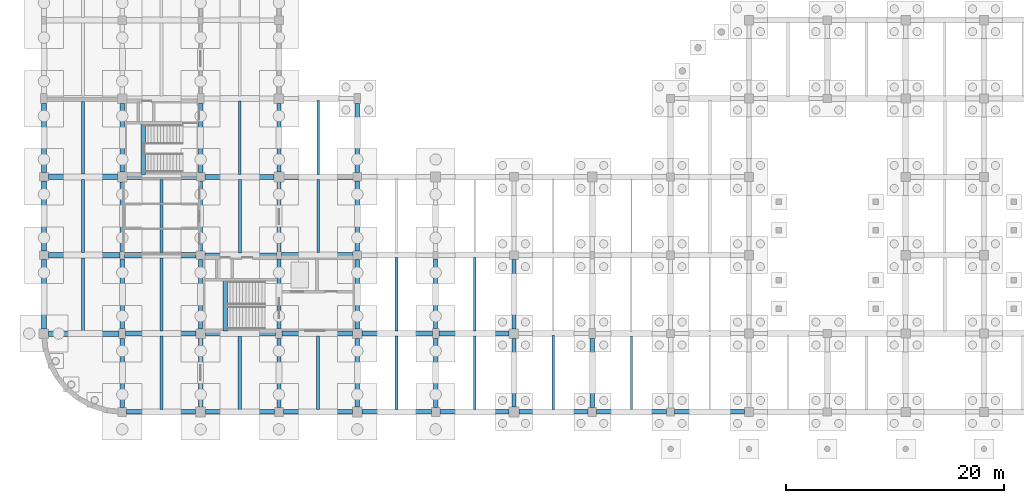
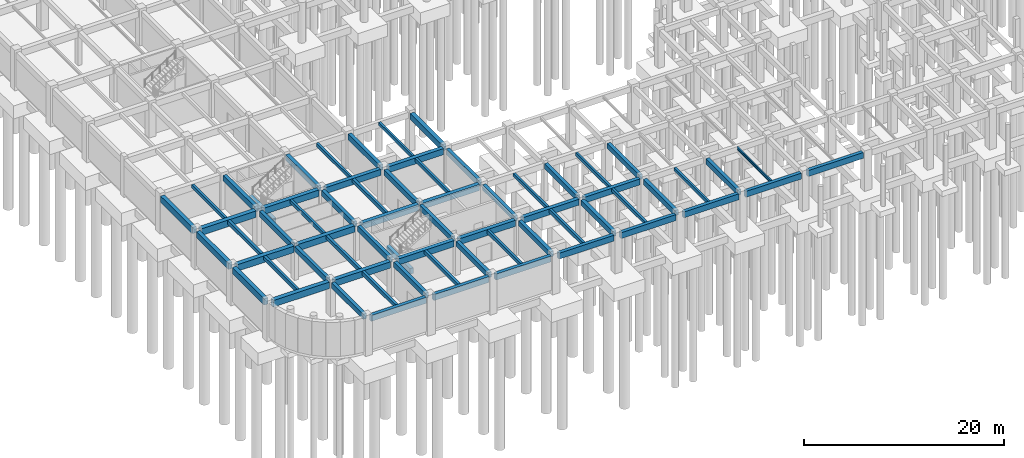
# One storey, part 24 of 47: 66 beams.
"""IFC4 building model written with IfcOpenShell, lengths in metres."""

from ifc_helpers import new_model, si_unit, direction, frame, origin, origin_2d, place, context, subcontext, project, spatial, rectangle, i_section, extrude, material, material_profile, profile_set, type_object, element, save


model = new_model("IFC4")

# Units and contexts
model_context = context("Model", 3, precision=1e-05, world=origin(), true_north=direction((0.0, 1.0)))
body_context = subcontext(model_context, "Body", "Model", "MODEL_VIEW")
ifc_project = project(units=[si_unit("LENGTHUNIT", "METRE"), si_unit("AREAUNIT", "SQUARE_METRE"), si_unit("VOLUMEUNIT", "CUBIC_METRE"), si_unit("PLANEANGLEUNIT", "RADIAN"), si_unit("MASSUNIT", "GRAM", prefix="KILO")], contexts=[model_context])

# Site, building, storey
site_placement = place(None, origin())
site = spatial("IfcSite", under=ifc_project, at=site_placement, CompositionType="ELEMENT")
building_placement = place(site_placement, origin())
building = spatial("IfcBuilding", under=site, at=building_placement, Name="Thalmaran Polytechnic", CompositionType="ELEMENT")
storey_placement = place(building_placement, frame((0.0, 0.0, -4.5)))
storey = spatial("IfcBuildingStorey", under=building, at=storey_placement, Name="B1", CompositionType="ELEMENT", Elevation=-4.5)

# Beams
ifc_material_1 = material(Name="Concrete C40/50", Category="concrete")
ifc_material_profile_1 = material_profile(ifc_material_1, rectangle(XDim=0.5, YDim=0.800048828125, at=origin_2d()), Name="RC 500x800")
ifc_profile_set_1 = profile_set([ifc_material_profile_1], Name="Concrete C40/50")
beam_type_1 = type_object("IfcBeamType", Name="BM-RC02", PredefinedType="BEAM", material=ifc_profile_set_1)
beam_1_placement = place(storey_placement, frame((0.43994140625, 7.199951171875, 3.77001953125), z_axis=(1.0, 0.0, 0.0), x_axis=(0.0, 1.0, 0.0)))
element("IfcBeam", 1, at=beam_1_placement, inside=storey, type_object=beam_type_1, Name="Grid Beam B02 B1 X(0,1)", PredefinedType="BEAM", context=body_context, shape_type="SweptSolid", body=[
    extrude(rectangle(XDim=0.5, YDim=0.800048828125, at=origin_2d()), origin(), (0.0, 0.0, 1.0), 6.4599609375),
])
beam_2_placement = place(storey_placement, frame((0.409912109375, 14.39990234375, 3.77001953125), z_axis=(1.0, 0.0, 0.0), x_axis=(0.0, 1.0, 0.0)))
element("IfcBeam", 2, at=beam_2_placement, inside=storey, type_object=beam_type_1, Name="Grid Beam B02 B1 X(0,2)", PredefinedType="BEAM", context=body_context, shape_type="SweptSolid", body=[
    extrude(rectangle(XDim=0.5, YDim=0.800048828125, at=origin_2d()), origin(), (0.0, 0.0, 1.0), 6.565185546875),
])
beam_3_placement = place(storey_placement, frame((0.39990234375, 21.60009765625, 3.77001953125), z_axis=(1.0, 0.0, 0.0), x_axis=(0.0, 1.0, 0.0)))
element("IfcBeam", 3, at=beam_3_placement, inside=storey, type_object=beam_type_1, Name="Grid Beam B02 B1 X(0,3)", PredefinedType="BEAM", context=body_context, shape_type="SweptSolid", body=[
    extrude(rectangle(XDim=0.5, YDim=0.800048828125, at=origin_2d()), origin(), (0.0, 0.0, 1.0), 6.35009765625),
])
ifc_material_profile_2 = material_profile(ifc_material_1, rectangle(XDim=0.449951171875, YDim=0.75, at=origin_2d()), Name="RC 450x750")
ifc_profile_set_2 = profile_set([ifc_material_profile_2], Name="Concrete C40/50")
beam_type_2 = type_object("IfcBeamType", Name="BM-RC03", PredefinedType="BEAM", material=ifc_profile_set_2)
beam_4_placement = place(storey_placement, frame((14.840087890625, 7.199951171875, 3.794921875), z_axis=(1.0, 0.0, 0.0), x_axis=(0.0, 1.0, 0.0)))
element("IfcBeam", 4, at=beam_4_placement, inside=storey, type_object=beam_type_2, Name="Grid Beam B03 B1 X(2,1)", PredefinedType="BEAM", context=body_context, shape_type="SweptSolid", body=[
    extrude(rectangle(XDim=0.449951171875, YDim=0.75, at=origin_2d()), origin(), (0.0, 0.0, 1.0), 6.4599609375),
])
beam_5_placement = place(storey_placement, frame((14.81005859375, 14.39990234375, 3.794921875), z_axis=(1.0, 0.0, 0.0), x_axis=(0.0, 1.0, 0.0)))
element("IfcBeam", 5, at=beam_5_placement, inside=storey, type_object=beam_type_2, Name="Grid Beam B03 B1 X(2,2)", PredefinedType="BEAM", context=body_context, shape_type="SweptSolid", body=[
    extrude(rectangle(XDim=0.449951171875, YDim=0.75, at=origin_2d()), origin(), (0.0, 0.0, 1.0), 6.56494140625),
])
beam_6_placement = place(storey_placement, frame((14.800048828125, 21.60009765625, 3.794921875), z_axis=(1.0, 0.0, 0.0), x_axis=(0.0, 1.0, 0.0)))
element("IfcBeam", 6, at=beam_6_placement, inside=storey, type_object=beam_type_2, Name="Grid Beam B03 B1 X(2,3)", PredefinedType="BEAM", context=body_context, shape_type="SweptSolid", body=[
    extrude(rectangle(XDim=0.449951171875, YDim=0.75, at=origin_2d()), origin(), (0.0, 0.0, 1.0), 6.349853515625),
])
ifc_material_profile_3 = material_profile(ifc_material_1, rectangle(XDim=0.449951171875, YDim=0.72509765625, at=origin_2d()), Name="RC 450x725")
ifc_profile_set_3 = profile_set([ifc_material_profile_3], Name="Concrete C40/50")
beam_type_3 = type_object("IfcBeamType", Name="BM-RC04", PredefinedType="BEAM", material=ifc_profile_set_3)
beam_7_placement = place(storey_placement, frame((29.239990234375, 7.199951171875, 3.8076171875), z_axis=(1.0, 0.0, 0.0), x_axis=(0.0, 1.0, 0.0)))
element("IfcBeam", 7, at=beam_7_placement, inside=storey, type_object=beam_type_3, Name="Grid Beam B04 B1 X(4,1)", PredefinedType="BEAM", context=body_context, shape_type="SweptSolid", body=[
    extrude(rectangle(XDim=0.449951171875, YDim=0.72509765625, at=origin_2d()), origin(), (0.0, 0.0, 1.0), 6.4599609375),
])
ifc_material_profile_4 = material_profile(ifc_material_1, rectangle(XDim=0.39990234375, YDim=0.6298828125, at=origin_2d()), Name="RC 400x630")
ifc_profile_set_4 = profile_set([ifc_material_profile_4], Name="Concrete C40/50")
beam_type_4 = type_object("IfcBeamType", Name="BM-RC07", PredefinedType="BEAM", material=ifc_profile_set_4)
beam_8_placement = place(storey_placement, frame((7.199951171875, 0.39990234375, 3.85498046875), z_axis=(0.0, 1.0, 0.0), x_axis=(-1.0, 0.0, 0.0)))
element("IfcBeam", 8, at=beam_8_placement, inside=storey, type_object=beam_type_4, Name="Grid Beam B07 B1 Y(1,0)", PredefinedType="BEAM", context=body_context, shape_type="SweptSolid", body=[
    extrude(rectangle(XDim=0.39990234375, YDim=0.6298828125, at=origin_2d()), origin(), (0.0, 0.0, 1.0), 6.35009765625),
])
beam_9_placement = place(storey_placement, frame((14.39990234375, 0.449951171875, 3.85498046875), z_axis=(0.0, 1.0, 0.0), x_axis=(-1.0, 0.0, 0.0)))
element("IfcBeam", 9, at=beam_9_placement, inside=storey, type_object=beam_type_4, Name="Grid Beam B07 B1 Y(2,0)", PredefinedType="BEAM", context=body_context, shape_type="SweptSolid", body=[
    extrude(rectangle(XDim=0.39990234375, YDim=0.6298828125, at=origin_2d()), origin(), (0.0, 0.0, 1.0), 6.31005859375),
])
beam_10_placement = place(storey_placement, frame((21.60009765625, 0.39990234375, 3.85498046875), z_axis=(0.0, 1.0, 0.0), x_axis=(-1.0, 0.0, 0.0)))
element("IfcBeam", 10, at=beam_10_placement, inside=storey, type_object=beam_type_4, Name="Grid Beam B07 B1 Y(3,0)", PredefinedType="BEAM", context=body_context, shape_type="SweptSolid", body=[
    extrude(rectangle(XDim=0.39990234375, YDim=0.6298828125, at=origin_2d()), origin(), (0.0, 0.0, 1.0), 6.35009765625),
])
beam_11_placement = place(storey_placement, frame((28.800048828125, 0.449951171875, 3.85498046875), z_axis=(0.0, 1.0, 0.0), x_axis=(-1.0, 0.0, 0.0)))
element("IfcBeam", 11, at=beam_11_placement, inside=storey, type_object=beam_type_4, Name="Grid Beam B07 B1 Y(4,0)", PredefinedType="BEAM", context=body_context, shape_type="SweptSolid", body=[
    extrude(rectangle(XDim=0.39990234375, YDim=0.6298828125, at=origin_2d()), origin(), (0.0, 0.0, 1.0), 6.31005859375),
])
beam_12_placement = place(storey_placement, frame((36.0, 0.39990234375, 3.85498046875), z_axis=(0.0, 1.0, 0.0), x_axis=(-1.0, 0.0, 0.0)))
element("IfcBeam", 12, at=beam_12_placement, inside=storey, type_object=beam_type_4, Name="Grid Beam B07 B1 Y(5,0)", PredefinedType="BEAM", context=body_context, shape_type="SweptSolid", body=[
    extrude(rectangle(XDim=0.39990234375, YDim=0.6298828125, at=origin_2d()), origin(), (0.0, 0.0, 1.0), 6.35009765625),
])
beam_13_placement = place(storey_placement, frame((43.199951171875, 0.449951171875, 3.85498046875), z_axis=(0.0, 1.0, 0.0), x_axis=(-1.0, 0.0, 0.0)))
element("IfcBeam", 13, at=beam_13_placement, inside=storey, type_object=beam_type_4, Name="Grid Beam B07 B1 Y(6,0)", PredefinedType="BEAM", context=body_context, shape_type="SweptSolid", body=[
    extrude(rectangle(XDim=0.39990234375, YDim=0.6298828125, at=origin_2d()), origin(), (0.0, 0.0, 1.0), 6.31005859375),
])
beam_14_placement = place(storey_placement, frame((50.39990234375, 0.39990234375, 3.85498046875), z_axis=(0.0, 1.0, 0.0), x_axis=(-1.0, 0.0, 0.0)))
element("IfcBeam", 14, at=beam_14_placement, inside=storey, type_object=beam_type_4, Name="Grid Beam B07 B1 Y(7,0)", PredefinedType="BEAM", context=body_context, shape_type="SweptSolid", body=[
    extrude(rectangle(XDim=0.39990234375, YDim=0.6298828125, at=origin_2d()), origin(), (0.0, 0.0, 1.0), 6.35009765625),
])
ifc_material_profile_5 = material_profile(ifc_material_1, rectangle(XDim=0.389892578125, YDim=0.68505859375, at=origin_2d()), Name="RC 390x685")
ifc_profile_set_5 = profile_set([ifc_material_profile_5], Name="Concrete C40/50")
beam_type_5 = type_object("IfcBeamType", Name="BM-RC08", PredefinedType="BEAM", material=ifc_profile_set_5)
beam_15_placement = place(storey_placement, frame((7.199951171875, 14.72509765625, 3.827392578125), z_axis=(0.0, 1.0, 0.0), x_axis=(-1.0, 0.0, 0.0)))
element("IfcBeam", 15, at=beam_15_placement, inside=storey, type_object=beam_type_5, Name="Grid Beam B08 B1 Y(1,2)", PredefinedType="BEAM", context=body_context, shape_type="SweptSolid", body=[
    extrude(rectangle(XDim=0.389892578125, YDim=0.68505859375, at=origin_2d()), origin(), (0.0, 0.0, 1.0), 6.4248046875),
])
beam_16_placement = place(storey_placement, frame((14.39990234375, 14.81005859375, 3.827392578125), z_axis=(0.0, 1.0, 0.0), x_axis=(-1.0, 0.0, 0.0)))
element("IfcBeam", 16, at=beam_16_placement, inside=storey, type_object=beam_type_5, Name="Grid Beam B08 B1 Y(2,2)", PredefinedType="BEAM", context=body_context, shape_type="SweptSolid", body=[
    extrude(rectangle(XDim=0.389892578125, YDim=0.68505859375, at=origin_2d()), origin(), (0.0, 0.0, 1.0), 6.389892578125),
])
beam_17_placement = place(storey_placement, frame((21.60009765625, 14.72509765625, 3.827392578125), z_axis=(0.0, 1.0, 0.0), x_axis=(-1.0, 0.0, 0.0)))
element("IfcBeam", 17, at=beam_17_placement, inside=storey, type_object=beam_type_5, Name="Grid Beam B08 B1 Y(3,2)", PredefinedType="BEAM", context=body_context, shape_type="SweptSolid", body=[
    extrude(rectangle(XDim=0.389892578125, YDim=0.68505859375, at=origin_2d()), origin(), (0.0, 0.0, 1.0), 6.4248046875),
])
beam_18_placement = place(storey_placement, frame((28.800048828125, 14.81005859375, 3.827392578125), z_axis=(0.0, 1.0, 0.0), x_axis=(-1.0, 0.0, 0.0)))
element("IfcBeam", 18, at=beam_18_placement, inside=storey, type_object=beam_type_5, Name="Grid Beam B08 B1 Y(4,2)", PredefinedType="BEAM", context=body_context, shape_type="SweptSolid", body=[
    extrude(rectangle(XDim=0.389892578125, YDim=0.68505859375, at=origin_2d()), origin(), (0.0, 0.0, 1.0), 6.389892578125),
])
ifc_material_profile_6 = material_profile(ifc_material_1, rectangle(XDim=0.389892578125, YDim=0.695068359375, at=origin_2d()), Name="RC 390x695")
ifc_profile_set_6 = profile_set([ifc_material_profile_6], Name="Concrete C40/50")
beam_type_6 = type_object("IfcBeamType", Name="BM-RC10", PredefinedType="BEAM", material=ifc_profile_set_6)
for number, where, z_axis, x_axis, name in (
    (19, (16.659912109375, 7.43994140625, 1.7900390625), (0.0, 1.0, 0.0), (-1.0, 0.0, 0.0), "ST1 B1 Half-Landing Trimmer Beam"),
    (20, (9.1201171875, 21.840087890625, 1.7900390625), (0.0, 1.0, 0.0), (-1.0, 0.0, 0.0), "ST3 B1 Half-Landing Trimmer Beam"),
):
    element("IfcBeam", number, at=place(storey_placement, frame(where, z_axis=z_axis, x_axis=x_axis)), inside=storey, type_object=beam_type_6, Name=name, PredefinedType="BEAM", context=body_context, shape_type="SweptSolid", body=[
        extrude(rectangle(XDim=0.389892578125, YDim=0.695068359375, at=origin_2d()), origin(), (0.0, 0.0, 1.0), 4.699951171875),
    ])
ifc_material_profile_7 = material_profile(ifc_material_1, rectangle(XDim=0.300048828125, YDim=0.449951171875, at=origin_2d()), Name="RC 300x450")
ifc_profile_set_7 = profile_set([ifc_material_profile_7], Name="Concrete C40/50")
beam_type_7 = type_object("IfcBeamType", Name="BM-RC12", PredefinedType="JOIST", material=ifc_profile_set_7)
beam_19_placement = place(storey_placement, frame((3.60009765625, 14.64990234375, 3.945068359375), z_axis=(0.0, 1.0, 0.0), x_axis=(-1.0, 0.0, 0.0)))
element("IfcBeam", 21, at=beam_19_placement, inside=storey, type_object=beam_type_7, Name="Secondary Floor Rib RB02 B1 (0,2)", PredefinedType="JOIST", context=body_context, shape_type="SweptSolid", body=[
    extrude(rectangle(XDim=0.300048828125, YDim=0.449951171875, at=origin_2d()), origin(), (0.0, 0.0, 1.0), 6.7001953125),
])
beam_20_placement = place(storey_placement, frame((10.800048828125, 7.43994140625, 3.945068359375), z_axis=(0.0, 1.0, 0.0), x_axis=(-1.0, 0.0, 0.0)))
element("IfcBeam", 22, at=beam_20_placement, inside=storey, type_object=beam_type_7, Name="Secondary Floor Rib RB02 B1 (1,1)", PredefinedType="JOIST", context=body_context, shape_type="SweptSolid", body=[
    extrude(rectangle(XDim=0.300048828125, YDim=0.449951171875, at=origin_2d()), origin(), (0.0, 0.0, 1.0), 6.719970703125),
])
beam_21_placement = place(storey_placement, frame((18.0, 0.199951171875, 3.945068359375), z_axis=(0.0, 1.0, 0.0), x_axis=(-1.0, 0.0, 0.0)))
element("IfcBeam", 23, at=beam_21_placement, inside=storey, type_object=beam_type_7, Name="Secondary Floor Rib RB02 B1 (2,0)", PredefinedType="JOIST", context=body_context, shape_type="SweptSolid", body=[
    extrude(rectangle(XDim=0.300048828125, YDim=0.449951171875, at=origin_2d()), origin(), (0.0, 0.0, 1.0), 6.775146484375),
])
ifc_material_profile_8 = material_profile(ifc_material_1, rectangle(XDim=0.280029296875, YDim=0.449951171875, at=origin_2d()), Name="RC 280x450")
ifc_profile_set_8 = profile_set([ifc_material_profile_8], Name="Concrete C40/50")
beam_type_8 = type_object("IfcBeamType", Name="BM-RC13", PredefinedType="JOIST", material=ifc_profile_set_8)
beam_22_placement = place(storey_placement, frame((18.0, 14.625, 3.945068359375), z_axis=(0.0, 1.0, 0.0), x_axis=(-1.0, 0.0, 0.0)))
element("IfcBeam", 24, at=beam_22_placement, inside=storey, type_object=beam_type_8, Name="Secondary Floor Rib RB03 B1 (2,2)", PredefinedType="JOIST", context=body_context, shape_type="SweptSolid", body=[
    extrude(rectangle(XDim=0.280029296875, YDim=0.449951171875, at=origin_2d()), origin(), (0.0, 0.0, 1.0), 6.75),
])
beam_23_placement = place(storey_placement, frame((32.39990234375, 0.199951171875, 3.945068359375), z_axis=(0.0, 1.0, 0.0), x_axis=(-1.0, 0.0, 0.0)))
element("IfcBeam", 25, at=beam_23_placement, inside=storey, type_object=beam_type_8, Name="Secondary Floor Rib RB03 B1 (4,0)", PredefinedType="JOIST", context=body_context, shape_type="SweptSolid", body=[
    extrude(rectangle(XDim=0.280029296875, YDim=0.449951171875, at=origin_2d()), origin(), (0.0, 0.0, 1.0), 6.775146484375),
])
ifc_material_2 = material(Name="Steel S355", Category="steel")
ifc_material_profile_9 = material_profile(ifc_material_2, i_section(OverallWidth=0.159912109375, OverallDepth=0.330078125, WebThickness=0.007568359375, FlangeThickness=0.011474609375, at=origin_2d()), Name="IPE 330")
ifc_profile_set_9 = profile_set([ifc_material_profile_9], Name="Steel S355")
beam_type_9 = type_object("IfcBeamType", Name="BM-SJ02", PredefinedType="JOIST", material=ifc_profile_set_9)
beam_24_placement = place(storey_placement, frame((54.0, 0.199951171875, 4.0048828125), z_axis=(0.0, 1.0, 0.0), x_axis=(-1.0, 0.0, 0.0)))
element("IfcBeam", 26, at=beam_24_placement, inside=storey, type_object=beam_type_9, Name="Secondary Floor Rib SJ02 B1 (7,0)", PredefinedType="JOIST", context=body_context, shape_type="SweptSolid", body=[
    extrude(i_section(OverallWidth=0.159912109375, OverallDepth=0.330078125, WebThickness=0.007568359375, FlangeThickness=0.011474609375, at=origin_2d()), origin(), (0.0, 0.0, 1.0), 6.7900390625),
])
ifc_material_profile_10 = material_profile(ifc_material_1, rectangle(XDim=0.39990234375, YDim=0.719970703125, at=origin_2d()), Name="RC 400x720")
ifc_profile_set_10 = profile_set([ifc_material_profile_10], Name="Concrete C40/50")
beam_type_10 = type_object("IfcBeamType", Name="BM-SP01", PredefinedType="SPANDREL", material=ifc_profile_set_10)
for number, where, z_axis, x_axis, name in (
    (27, (7.60009765625, 0.0, 3.81005859375), (1.0, 0.0, 0.0), (0.0, 1.0, 0.0), "Grid Beam SP01 B1 X(1,0)"),
    (28, (14.85009765625, 0.0, 3.81005859375), (1.0, 0.0, 0.0), (0.0, 1.0, 0.0), "Grid Beam SP01 B1 X(2,0)"),
):
    element("IfcBeam", number, at=place(storey_placement, frame(where, z_axis=z_axis, x_axis=x_axis)), inside=storey, type_object=beam_type_10, Name=name, PredefinedType="SPANDREL", context=body_context, shape_type="SweptSolid", body=[
        extrude(rectangle(XDim=0.39990234375, YDim=0.719970703125, at=origin_2d()), origin(), (0.0, 0.0, 1.0), 6.349853515625),
    ])
for number, where, z_axis, x_axis, name in (
    (29, (22.0, 0.0, 3.81005859375), (1.0, 0.0, 0.0), (0.0, 1.0, 0.0), "Grid Beam SP01 B1 X(3,0)"),
    (30, (29.25, 0.0, 3.81005859375), (1.0, 0.0, 0.0), (0.0, 1.0, 0.0), "Grid Beam SP01 B1 X(4,0)"),
    (31, (36.39990234375, 0.0, 3.81005859375), (1.0, 0.0, 0.0), (0.0, 1.0, 0.0), "Grid Beam SP01 B1 X(5,0)"),
    (32, (43.64990234375, 0.0, 3.81005859375), (1.0, 0.0, 0.0), (0.0, 1.0, 0.0), "Grid Beam SP01 B1 X(6,0)"),
):
    element("IfcBeam", number, at=place(storey_placement, frame(where, z_axis=z_axis, x_axis=x_axis)), inside=storey, type_object=beam_type_10, Name=name, PredefinedType="SPANDREL", context=body_context, shape_type="SweptSolid", body=[
        extrude(rectangle(XDim=0.39990234375, YDim=0.719970703125, at=origin_2d()), origin(), (0.0, 0.0, 1.0), 6.35009765625),
    ])
beam_25_placement = place(storey_placement, frame((50.800048828125, 0.0, 3.81005859375), z_axis=(1.0, 0.0, 0.0), x_axis=(0.0, 1.0, 0.0)))
element("IfcBeam", 33, at=beam_25_placement, inside=storey, type_object=beam_type_10, Name="Grid Beam SP01 B1 X(7,0)", PredefinedType="SPANDREL", context=body_context, shape_type="SweptSolid", body=[
    extrude(rectangle(XDim=0.39990234375, YDim=0.719970703125, at=origin_2d()), origin(), (0.0, 0.0, 1.0), 6.425048828125),
])
beam_26_placement = place(storey_placement, frame((57.97509765625, 0.0, 3.830078125), z_axis=(1.0, 0.0, 0.0), x_axis=(0.0, 1.0, 0.0)))
element("IfcBeam", 34, at=beam_26_placement, inside=storey, type_object=beam_type_10, Name="Grid Beam SP01 B1 X(8,0)", PredefinedType="SPANDREL", context=body_context, shape_type="SweptSolid", body=[
    extrude(rectangle(XDim=0.39990234375, YDim=0.719970703125, at=origin_2d()), origin(), (0.0, 0.0, 1.0), 6.39990234375),
])
ifc_material_profile_11 = material_profile(ifc_material_1, rectangle(XDim=0.449951171875, YDim=0.7548828125, at=origin_2d()), Name="RC 450x755")
ifc_profile_set_11 = profile_set([ifc_material_profile_11], Name="Concrete C40/50")
beam_type_11 = type_object("IfcBeamType", Name="BM-SP02", PredefinedType="SPANDREL", material=ifc_profile_set_11)
beam_27_placement = place(storey_placement, frame((0.0, 7.639892578125, 3.79248046875), z_axis=(0.0, 1.0, 0.0), x_axis=(-1.0, 0.0, 0.0)))
element("IfcBeam", 35, at=beam_27_placement, inside=storey, type_object=beam_type_11, Name="Grid Beam SP02 B1 Y(0,1)", PredefinedType="SPANDREL", context=body_context, shape_type="SweptSolid", body=[
    extrude(rectangle(XDim=0.449951171875, YDim=0.7548828125, at=origin_2d()), origin(), (0.0, 0.0, 1.0), 6.35009765625),
])
beam_28_placement = place(storey_placement, frame((0.0, 14.81005859375, 3.79248046875), z_axis=(0.0, 1.0, 0.0), x_axis=(-1.0, 0.0, 0.0)))
element("IfcBeam", 36, at=beam_28_placement, inside=storey, type_object=beam_type_11, Name="Grid Beam SP02 B1 Y(0,2)", PredefinedType="SPANDREL", context=body_context, shape_type="SweptSolid", body=[
    extrude(rectangle(XDim=0.449951171875, YDim=0.7548828125, at=origin_2d()), origin(), (0.0, 0.0, 1.0), 6.389892578125),
])
for number, where, z_axis, x_axis, name in (
    (37, (0.0, 22.0, 3.79248046875), (0.0, 1.0, 0.0), (-1.0, 0.0, 0.0), "Grid Beam SP02 B1 Y(0,3)"),
    (38, (28.800048828125, 22.0, 3.79248046875), (0.0, 1.0, 0.0), (-1.0, 0.0, 0.0), "Grid Beam SP02 B1 Y(4,3)"),
):
    element("IfcBeam", number, at=place(storey_placement, frame(where, z_axis=z_axis, x_axis=x_axis)), inside=storey, type_object=beam_type_11, Name=name, PredefinedType="SPANDREL", context=body_context, shape_type="SweptSolid", body=[
        extrude(rectangle(XDim=0.449951171875, YDim=0.7548828125, at=origin_2d()), origin(), (0.0, 0.0, 1.0), 6.35009765625),
    ])
ifc_material_profile_12 = material_profile(ifc_material_1, rectangle(XDim=0.47998046875, YDim=0.780029296875, at=origin_2d()), Name="RC 480x780")
ifc_profile_set_12 = profile_set([ifc_material_profile_12], Name="Concrete C40/50")
beam_type_12 = type_object("IfcBeamType", Name="BM-ZB01", PredefinedType="BEAM", material=ifc_profile_set_12)
beam_29_placement = place(storey_placement, frame((7.5, 7.199951171875, 3.780029296875), z_axis=(1.0, 0.0, 0.0), x_axis=(0.0, 1.0, 0.0)))
element("IfcBeam", 39, at=beam_29_placement, inside=storey, type_object=beam_type_12, Name="Grid Beam ZB01 B1 X(1,1)", PredefinedType="BEAM", context=body_context, shape_type="SweptSolid", body=[
    extrude(rectangle(XDim=0.47998046875, YDim=0.780029296875, at=origin_2d()), origin(), (0.0, 0.0, 1.0), 6.4599609375),
])
beam_30_placement = place(storey_placement, frame((7.425048828125, 14.39990234375, 3.780029296875), z_axis=(1.0, 0.0, 0.0), x_axis=(0.0, 1.0, 0.0)))
element("IfcBeam", 40, at=beam_30_placement, inside=storey, type_object=beam_type_12, Name="Grid Beam ZB01 B1 X(1,2)", PredefinedType="BEAM", context=body_context, shape_type="SweptSolid", body=[
    extrude(rectangle(XDim=0.47998046875, YDim=0.780029296875, at=origin_2d()), origin(), (0.0, 0.0, 1.0), 6.56494140625),
])
beam_31_placement = place(storey_placement, frame((7.64990234375, 21.60009765625, 3.780029296875), z_axis=(1.0, 0.0, 0.0), x_axis=(0.0, 1.0, 0.0)))
element("IfcBeam", 41, at=beam_31_placement, inside=storey, type_object=beam_type_12, Name="Grid Beam ZB01 B1 X(1,3)", PredefinedType="BEAM", context=body_context, shape_type="SweptSolid", body=[
    extrude(rectangle(XDim=0.47998046875, YDim=0.780029296875, at=origin_2d()), origin(), (0.0, 0.0, 1.0), 6.35009765625),
])
ifc_material_profile_13 = material_profile(ifc_material_1, rectangle(XDim=0.4599609375, YDim=0.739990234375, at=origin_2d()), Name="RC 460x740")
ifc_profile_set_13 = profile_set([ifc_material_profile_13], Name="Concrete C40/50")
beam_type_13 = type_object("IfcBeamType", Name="BM-ZB02", PredefinedType="BEAM", material=ifc_profile_set_13)
beam_32_placement = place(storey_placement, frame((21.89990234375, 7.199951171875, 3.800048828125), z_axis=(1.0, 0.0, 0.0), x_axis=(0.0, 1.0, 0.0)))
element("IfcBeam", 42, at=beam_32_placement, inside=storey, type_object=beam_type_13, Name="Grid Beam ZB02 B1 X(3,1)", PredefinedType="BEAM", context=body_context, shape_type="SweptSolid", body=[
    extrude(rectangle(XDim=0.4599609375, YDim=0.739990234375, at=origin_2d()), origin(), (0.0, 0.0, 1.0), 6.460205078125),
])
beam_33_placement = place(storey_placement, frame((21.824951171875, 14.39990234375, 3.800048828125), z_axis=(1.0, 0.0, 0.0), x_axis=(0.0, 1.0, 0.0)))
element("IfcBeam", 43, at=beam_33_placement, inside=storey, type_object=beam_type_13, Name="Grid Beam ZB02 B1 X(3,2)", PredefinedType="BEAM", context=body_context, shape_type="SweptSolid", body=[
    extrude(rectangle(XDim=0.4599609375, YDim=0.739990234375, at=origin_2d()), origin(), (0.0, 0.0, 1.0), 6.56494140625),
])
beam_34_placement = place(storey_placement, frame((22.050048828125, 21.60009765625, 3.800048828125), z_axis=(1.0, 0.0, 0.0), x_axis=(0.0, 1.0, 0.0)))
element("IfcBeam", 44, at=beam_34_placement, inside=storey, type_object=beam_type_13, Name="Grid Beam ZB02 B1 X(3,3)", PredefinedType="BEAM", context=body_context, shape_type="SweptSolid", body=[
    extrude(rectangle(XDim=0.4599609375, YDim=0.739990234375, at=origin_2d()), origin(), (0.0, 0.0, 1.0), 6.349853515625),
])
ifc_material_profile_14 = material_profile(ifc_material_1, rectangle(XDim=0.43994140625, YDim=0.719970703125, at=origin_2d()), Name="RC 440x720")
ifc_profile_set_14 = profile_set([ifc_material_profile_14], Name="Concrete C40/50")
beam_type_14 = type_object("IfcBeamType", Name="BM-ZB03", PredefinedType="BEAM", material=ifc_profile_set_14)
beam_35_placement = place(storey_placement, frame((36.300048828125, 7.199951171875, 3.81005859375), z_axis=(1.0, 0.0, 0.0), x_axis=(0.0, 1.0, 0.0)))
element("IfcBeam", 45, at=beam_35_placement, inside=storey, type_object=beam_type_14, Name="Grid Beam ZB03 B1 X(5,1)", PredefinedType="BEAM", context=body_context, shape_type="SweptSolid", body=[
    extrude(rectangle(XDim=0.43994140625, YDim=0.719970703125, at=origin_2d()), origin(), (0.0, 0.0, 1.0), 6.4599609375),
])
ifc_material_profile_15 = material_profile(ifc_material_1, rectangle(XDim=0.3798828125, YDim=0.635009765625, at=origin_2d()), Name="RC 380x635")
ifc_profile_set_15 = profile_set([ifc_material_profile_15], Name="Concrete C40/50")
beam_type_15 = type_object("IfcBeamType", Name="BM-ZB06", PredefinedType="BEAM", material=ifc_profile_set_15)
beam_36_placement = place(storey_placement, frame((7.199951171875, 7.64990234375, 3.8525390625), z_axis=(0.0, 1.0, 0.0), x_axis=(-1.0, 0.0, 0.0)))
element("IfcBeam", 46, at=beam_36_placement, inside=storey, type_object=beam_type_15, Name="Grid Beam ZB06 B1 Y(1,1)", PredefinedType="BEAM", context=body_context, shape_type="SweptSolid", body=[
    extrude(rectangle(XDim=0.3798828125, YDim=0.635009765625, at=origin_2d()), origin(), (0.0, 0.0, 1.0), 6.425048828125),
])
beam_37_placement = place(storey_placement, frame((14.39990234375, 7.639892578125, 3.8525390625), z_axis=(0.0, 1.0, 0.0), x_axis=(-1.0, 0.0, 0.0)))
element("IfcBeam", 47, at=beam_37_placement, inside=storey, type_object=beam_type_15, Name="Grid Beam ZB06 B1 Y(2,1)", PredefinedType="BEAM", context=body_context, shape_type="SweptSolid", body=[
    extrude(rectangle(XDim=0.3798828125, YDim=0.635009765625, at=origin_2d()), origin(), (0.0, 0.0, 1.0), 6.35009765625),
])
beam_38_placement = place(storey_placement, frame((21.60009765625, 7.64990234375, 3.8525390625), z_axis=(0.0, 1.0, 0.0), x_axis=(-1.0, 0.0, 0.0)))
element("IfcBeam", 48, at=beam_38_placement, inside=storey, type_object=beam_type_15, Name="Grid Beam ZB06 B1 Y(3,1)", PredefinedType="BEAM", context=body_context, shape_type="SweptSolid", body=[
    extrude(rectangle(XDim=0.3798828125, YDim=0.635009765625, at=origin_2d()), origin(), (0.0, 0.0, 1.0), 6.425048828125),
])
beam_39_placement = place(storey_placement, frame((28.800048828125, 7.639892578125, 3.8525390625), z_axis=(0.0, 1.0, 0.0), x_axis=(-1.0, 0.0, 0.0)))
element("IfcBeam", 49, at=beam_39_placement, inside=storey, type_object=beam_type_15, Name="Grid Beam ZB06 B1 Y(4,1)", PredefinedType="BEAM", context=body_context, shape_type="SweptSolid", body=[
    extrude(rectangle(XDim=0.3798828125, YDim=0.635009765625, at=origin_2d()), origin(), (0.0, 0.0, 1.0), 6.35009765625),
])
beam_40_placement = place(storey_placement, frame((36.0, 7.64990234375, 3.8525390625), z_axis=(0.0, 1.0, 0.0), x_axis=(-1.0, 0.0, 0.0)))
element("IfcBeam", 50, at=beam_40_placement, inside=storey, type_object=beam_type_15, Name="Grid Beam ZB06 B1 Y(5,1)", PredefinedType="BEAM", context=body_context, shape_type="SweptSolid", body=[
    extrude(rectangle(XDim=0.3798828125, YDim=0.635009765625, at=origin_2d()), origin(), (0.0, 0.0, 1.0), 6.425048828125),
])
beam_41_placement = place(storey_placement, frame((43.199951171875, 7.639892578125, 3.8525390625), z_axis=(0.0, 1.0, 0.0), x_axis=(-1.0, 0.0, 0.0)))
element("IfcBeam", 51, at=beam_41_placement, inside=storey, type_object=beam_type_15, Name="Grid Beam ZB06 B1 Y(6,1)", PredefinedType="BEAM", context=body_context, shape_type="SweptSolid", body=[
    extrude(rectangle(XDim=0.3798828125, YDim=0.635009765625, at=origin_2d()), origin(), (0.0, 0.0, 1.0), 6.35009765625),
])
ifc_material_profile_16 = material_profile(ifc_material_1, rectangle(XDim=0.39990234375, YDim=0.68505859375, at=origin_2d()), Name="RC 400x685")
ifc_profile_set_16 = profile_set([ifc_material_profile_16], Name="Concrete C40/50")
beam_type_16 = type_object("IfcBeamType", Name="BM-ZB07", PredefinedType="BEAM", material=ifc_profile_set_16)
beam_42_placement = place(storey_placement, frame((7.199951171875, 22.050048828125, 3.827392578125), z_axis=(0.0, 1.0, 0.0), x_axis=(-1.0, 0.0, 0.0)))
element("IfcBeam", 52, at=beam_42_placement, inside=storey, type_object=beam_type_16, Name="Grid Beam ZB07 B1 Y(1,3)", PredefinedType="BEAM", context=body_context, shape_type="SweptSolid", body=[
    extrude(rectangle(XDim=0.39990234375, YDim=0.68505859375, at=origin_2d()), origin(), (0.0, 0.0, 1.0), 6.31005859375),
])
beam_43_placement = place(storey_placement, frame((14.39990234375, 22.0, 3.827392578125), z_axis=(0.0, 1.0, 0.0), x_axis=(-1.0, 0.0, 0.0)))
element("IfcBeam", 53, at=beam_43_placement, inside=storey, type_object=beam_type_16, Name="Grid Beam ZB07 B1 Y(2,3)", PredefinedType="BEAM", context=body_context, shape_type="SweptSolid", body=[
    extrude(rectangle(XDim=0.39990234375, YDim=0.68505859375, at=origin_2d()), origin(), (0.0, 0.0, 1.0), 6.35009765625),
])
beam_44_placement = place(storey_placement, frame((21.60009765625, 22.050048828125, 3.827392578125), z_axis=(0.0, 1.0, 0.0), x_axis=(-1.0, 0.0, 0.0)))
element("IfcBeam", 54, at=beam_44_placement, inside=storey, type_object=beam_type_16, Name="Grid Beam ZB07 B1 Y(3,3)", PredefinedType="BEAM", context=body_context, shape_type="SweptSolid", body=[
    extrude(rectangle(XDim=0.39990234375, YDim=0.68505859375, at=origin_2d()), origin(), (0.0, 0.0, 1.0), 6.31005859375),
])
ifc_material_profile_17 = material_profile(ifc_material_1, rectangle(XDim=0.280029296875, YDim=0.47998046875, at=origin_2d()), Name="RC 280x480")
ifc_profile_set_17 = profile_set([ifc_material_profile_17], Name="Concrete C40/50")
beam_type_17 = type_object("IfcBeamType", Name="BM-ZJ01", PredefinedType="JOIST", material=ifc_profile_set_17)
beam_45_placement = place(storey_placement, frame((3.60009765625, 7.449951171875, 3.929931640625), z_axis=(0.0, 1.0, 0.0), x_axis=(-1.0, 0.0, 0.0)))
element("IfcBeam", 55, at=beam_45_placement, inside=storey, type_object=beam_type_17, Name="Secondary Floor Rib ZJ01 B1 (0,1)", PredefinedType="JOIST", context=body_context, shape_type="SweptSolid", body=[
    extrude(rectangle(XDim=0.280029296875, YDim=0.47998046875, at=origin_2d()), origin(), (0.0, 0.0, 1.0), 6.699951171875),
])
beam_46_placement = place(storey_placement, frame((10.800048828125, 0.199951171875, 3.929931640625), z_axis=(0.0, 1.0, 0.0), x_axis=(-1.0, 0.0, 0.0)))
element("IfcBeam", 56, at=beam_46_placement, inside=storey, type_object=beam_type_17, Name="Secondary Floor Rib ZJ01 B1 (1,0)", PredefinedType="JOIST", context=body_context, shape_type="SweptSolid", body=[
    extrude(rectangle(XDim=0.280029296875, YDim=0.47998046875, at=origin_2d()), origin(), (0.0, 0.0, 1.0), 6.760009765625),
])
ifc_material_profile_18 = material_profile(ifc_material_1, rectangle(XDim=0.260009765625, YDim=0.43994140625, at=origin_2d()), Name="RC 260x440")
ifc_profile_set_18 = profile_set([ifc_material_profile_18], Name="Concrete C40/50")
beam_type_18 = type_object("IfcBeamType", Name="BM-ZJ02", PredefinedType="JOIST", material=ifc_profile_set_18)
beam_47_placement = place(storey_placement, frame((3.60009765625, 21.85009765625, 3.949951171875), z_axis=(0.0, 1.0, 0.0), x_axis=(-1.0, 0.0, 0.0)))
element("IfcBeam", 57, at=beam_47_placement, inside=storey, type_object=beam_type_18, Name="Secondary Floor Rib ZJ02 B1 (0,3)", PredefinedType="JOIST", context=body_context, shape_type="SweptSolid", body=[
    extrude(rectangle(XDim=0.260009765625, YDim=0.43994140625, at=origin_2d()), origin(), (0.0, 0.0, 1.0), 6.699951171875),
])
beam_48_placement = place(storey_placement, frame((10.800048828125, 14.639892578125, 3.949951171875), z_axis=(0.0, 1.0, 0.0), x_axis=(-1.0, 0.0, 0.0)))
element("IfcBeam", 58, at=beam_48_placement, inside=storey, type_object=beam_type_18, Name="Secondary Floor Rib ZJ02 B1 (1,2)", PredefinedType="JOIST", context=body_context, shape_type="SweptSolid", body=[
    extrude(rectangle(XDim=0.260009765625, YDim=0.43994140625, at=origin_2d()), origin(), (0.0, 0.0, 1.0), 6.72021484375),
])
beam_49_placement = place(storey_placement, frame((25.199951171875, 0.199951171875, 3.949951171875), z_axis=(0.0, 1.0, 0.0), x_axis=(-1.0, 0.0, 0.0)))
element("IfcBeam", 59, at=beam_49_placement, inside=storey, type_object=beam_type_18, Name="Secondary Floor Rib ZJ02 B1 (3,0)", PredefinedType="JOIST", context=body_context, shape_type="SweptSolid", body=[
    extrude(rectangle(XDim=0.260009765625, YDim=0.43994140625, at=origin_2d()), origin(), (0.0, 0.0, 1.0), 6.77001953125),
])
ifc_material_profile_19 = material_profile(ifc_material_1, rectangle(XDim=0.25, YDim=0.419921875, at=origin_2d()), Name="RC 250x420")
ifc_profile_set_19 = profile_set([ifc_material_profile_19], Name="Concrete C40/50")
beam_type_19 = type_object("IfcBeamType", Name="BM-ZJ03", PredefinedType="JOIST", material=ifc_profile_set_19)
beam_50_placement = place(storey_placement, frame((18.0, 21.824951171875, 3.9599609375), z_axis=(0.0, 1.0, 0.0), x_axis=(-1.0, 0.0, 0.0)))
element("IfcBeam", 60, at=beam_50_placement, inside=storey, type_object=beam_type_19, Name="Secondary Floor Rib ZJ03 B1 (2,3)", PredefinedType="JOIST", context=body_context, shape_type="SweptSolid", body=[
    extrude(rectangle(XDim=0.25, YDim=0.419921875, at=origin_2d()), origin(), (0.0, 0.0, 1.0), 6.75),
])
beam_51_placement = place(storey_placement, frame((25.199951171875, 14.6298828125, 3.9599609375), z_axis=(0.0, 1.0, 0.0), x_axis=(-1.0, 0.0, 0.0)))
element("IfcBeam", 61, at=beam_51_placement, inside=storey, type_object=beam_type_19, Name="Secondary Floor Rib ZJ03 B1 (3,2)", PredefinedType="JOIST", context=body_context, shape_type="SweptSolid", body=[
    extrude(rectangle(XDim=0.25, YDim=0.419921875, at=origin_2d()), origin(), (0.0, 0.0, 1.0), 6.740234375),
])
beam_52_placement = place(storey_placement, frame((32.39990234375, 7.425048828125, 3.9599609375), z_axis=(0.0, 1.0, 0.0), x_axis=(-1.0, 0.0, 0.0)))
element("IfcBeam", 62, at=beam_52_placement, inside=storey, type_object=beam_type_19, Name="Secondary Floor Rib ZJ03 B1 (4,1)", PredefinedType="JOIST", context=body_context, shape_type="SweptSolid", body=[
    extrude(rectangle(XDim=0.25, YDim=0.419921875, at=origin_2d()), origin(), (0.0, 0.0, 1.0), 6.75),
])
beam_53_placement = place(storey_placement, frame((39.60009765625, 0.199951171875, 3.9599609375), z_axis=(0.0, 1.0, 0.0), x_axis=(-1.0, 0.0, 0.0)))
element("IfcBeam", 63, at=beam_53_placement, inside=storey, type_object=beam_type_19, Name="Secondary Floor Rib ZJ03 B1 (5,0)", PredefinedType="JOIST", context=body_context, shape_type="SweptSolid", body=[
    extrude(rectangle(XDim=0.25, YDim=0.419921875, at=origin_2d()), origin(), (0.0, 0.0, 1.0), 6.780029296875),
])
ifc_material_profile_20 = material_profile(ifc_material_1, rectangle(XDim=0.239990234375, YDim=0.39990234375, at=origin_2d()), Name="RC 240x400")
ifc_profile_set_20 = profile_set([ifc_material_profile_20], Name="Concrete C40/50")
beam_type_20 = type_object("IfcBeamType", Name="BM-ZJ04", PredefinedType="JOIST", material=ifc_profile_set_20)
beam_54_placement = place(storey_placement, frame((25.199951171875, 21.830078125, 3.969970703125), z_axis=(0.0, 1.0, 0.0), x_axis=(-1.0, 0.0, 0.0)))
element("IfcBeam", 64, at=beam_54_placement, inside=storey, type_object=beam_type_20, Name="Secondary Floor Rib ZJ04 B1 (3,3)", PredefinedType="JOIST", context=body_context, shape_type="SweptSolid", body=[
    extrude(rectangle(XDim=0.239990234375, YDim=0.39990234375, at=origin_2d()), origin(), (0.0, 0.0, 1.0), 6.77001953125),
])
beam_55_placement = place(storey_placement, frame((39.60009765625, 7.419921875, 3.969970703125), z_axis=(0.0, 1.0, 0.0), x_axis=(-1.0, 0.0, 0.0)))
element("IfcBeam", 65, at=beam_55_placement, inside=storey, type_object=beam_type_20, Name="Secondary Floor Rib ZJ04 B1 (5,1)", PredefinedType="JOIST", context=body_context, shape_type="SweptSolid", body=[
    extrude(rectangle(XDim=0.239990234375, YDim=0.39990234375, at=origin_2d()), origin(), (0.0, 0.0, 1.0), 6.760009765625),
])
beam_56_placement = place(storey_placement, frame((46.800048828125, 0.199951171875, 3.969970703125), z_axis=(0.0, 1.0, 0.0), x_axis=(-1.0, 0.0, 0.0)))
element("IfcBeam", 66, at=beam_56_placement, inside=storey, type_object=beam_type_20, Name="Secondary Floor Rib ZJ04 B1 (6,0)", PredefinedType="JOIST", context=body_context, shape_type="SweptSolid", body=[
    extrude(rectangle(XDim=0.239990234375, YDim=0.39990234375, at=origin_2d()), origin(), (0.0, 0.0, 1.0), 6.800048828125),
])

save(model, "model.ifc")
